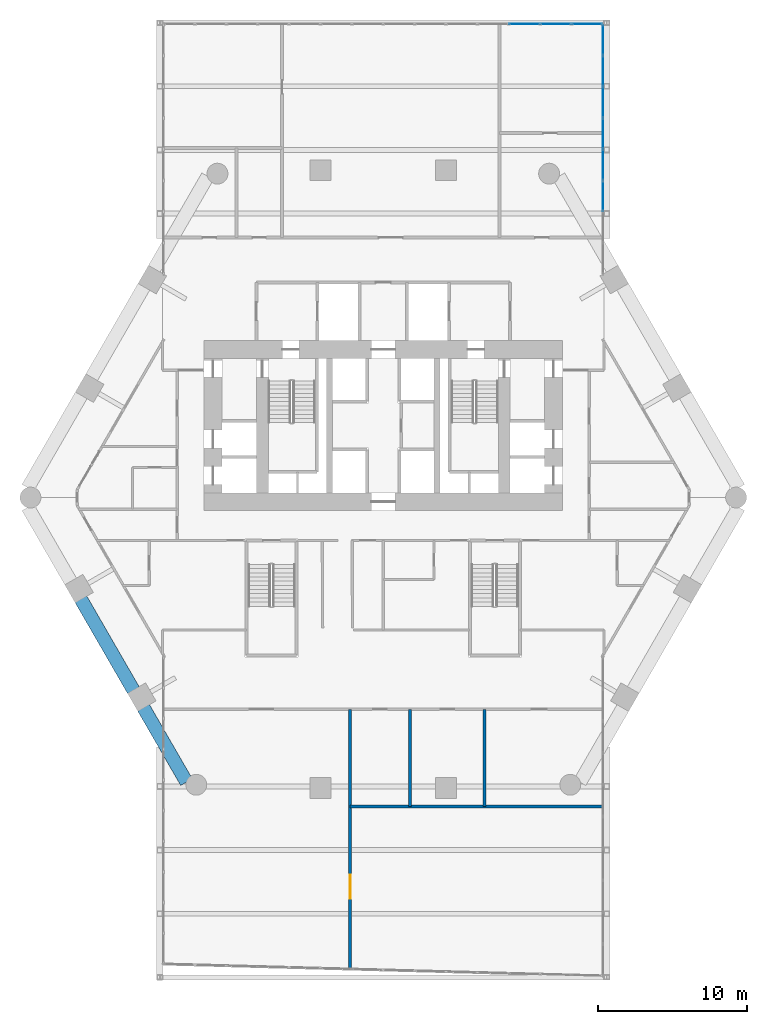
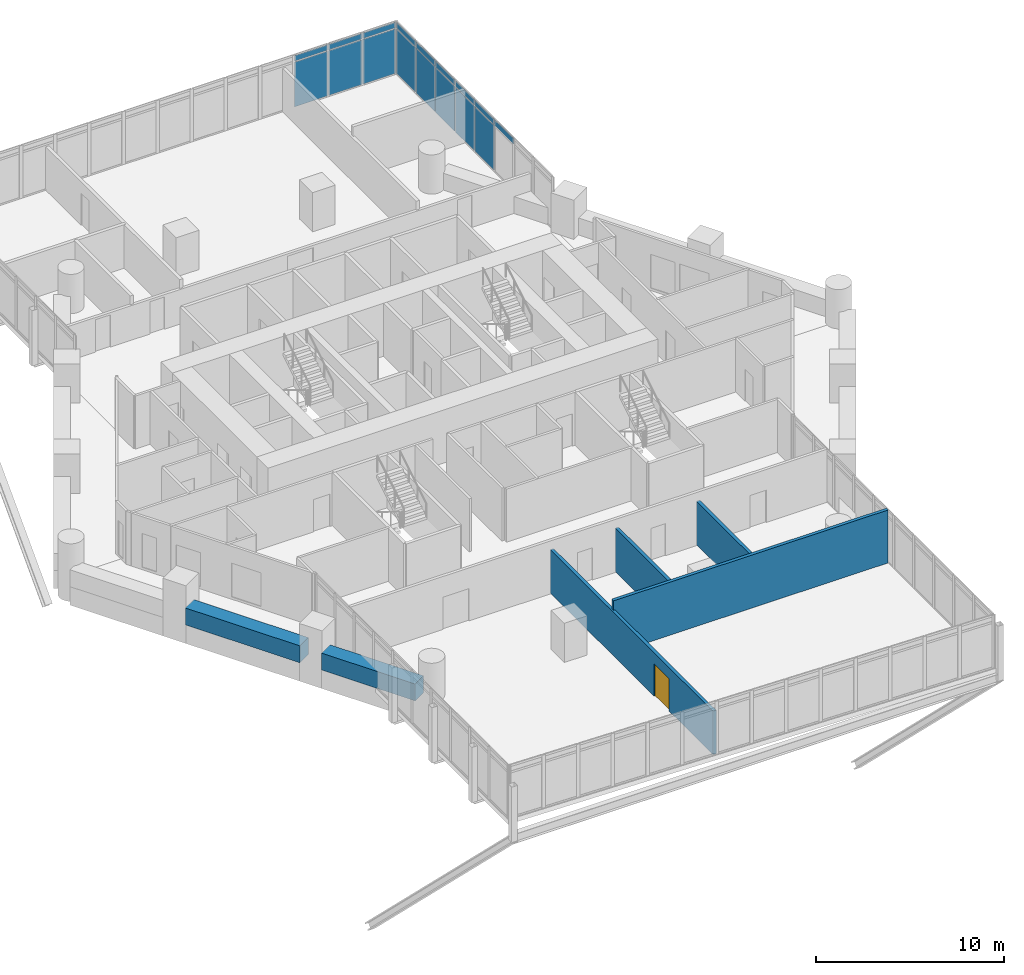
# One storey, part 29 of 38: 17 plates, 6 walls, 1 door, 1 opening, 2 elements without a shape of their own.
"""IFC4 building model written with IfcOpenShell, lengths in metres."""

from ifc_helpers import new_model, si_unit, direction, frame, frame_2d, origin, origin_2d, place, context, subcontext, project, spatial, rectangle, extrude, material, layer, layer_set, type_object, element, fill, aggregate, save


model = new_model("IFC4")

# Units and contexts
model_context = context("Model", 3, precision=1e-05, world=origin(), true_north=direction((0.0, 1.0)))
body_context = subcontext(model_context, "Body", "Model", "MODEL_VIEW")
ifc_project = project(units=[si_unit("LENGTHUNIT", "METRE"), si_unit("AREAUNIT", "SQUARE_METRE"), si_unit("VOLUMEUNIT", "CUBIC_METRE"), si_unit("PLANEANGLEUNIT", "RADIAN"), si_unit("MASSUNIT", "GRAM", prefix="KILO")], contexts=[model_context])

# Site, building, storey
site_placement = place(None, origin())
site = spatial("IfcSite", under=ifc_project, at=site_placement, CompositionType="ELEMENT")
building_placement = place(site_placement, origin())
building = spatial("IfcBuilding", under=site, at=building_placement, Name="Ostrander Bayou Hotel Tower", CompositionType="ELEMENT")
storey_placement = place(building_placement, frame((0.0, 0.0, 65.5)))
storey = spatial("IfcBuildingStorey", under=building, at=storey_placement, Name="L16", CompositionType="ELEMENT", Elevation=65.5)

# Curtain wall, plates
ifc_material_1 = material(Name="Aluminium and clear glass", Category="aluminium")
curtain_wall_type = type_object("IfcCurtainWallType", Name="CW-BAR glazed wall", PredefinedType="NOTDEFINED", material=ifc_material_1)
curtain_wall_1_placement = place(storey_placement, origin())
curtain_wall_1 = element("IfcCurtainWall", 1, at=curtain_wall_1_placement, inside=storey, type_object=curtain_wall_type, Name="CW-BAR L16:SB1N:T", PredefinedType="NOTDEFINED")
ifc_material_2 = material(Name="Clear laminated glass", Category="glass")
ifc_layer_1 = layer(ifc_material_2, 0.028076171875)
ifc_layer_set_1 = layer_set([ifc_layer_1], Name="CW-BR glazing panel 28 mm")
plate_type = type_object("IfcPlateType", Name="CW-BR glazing panel 28 mm", PredefinedType="CURTAIN_PANEL", material=ifc_layer_set_1)
plate_1_placement = place(storey_placement, frame((9.457763671875, 30.88623046875, 0.06005859375), z_axis=(0.0, 0.0, 1.0), x_axis=(1.0, 0.0, 0.0)))
plate_1 = element("IfcPlate", 2, at=plate_1_placement, type_object=plate_type, Name="CW-BAR panel 12.1", PredefinedType="CURTAIN_PANEL", context=body_context, shape_type="SweptSolid", body=[
    extrude(rectangle(XDim=2.041748046875, YDim=0.028076171875, at=origin_2d()), origin(), (0.0, 0.0, 1.0), 2.909912109375),
])
plate_2_placement = place(storey_placement, frame((9.457763671875, 30.88623046875, 3.02978515625), z_axis=(0.0, 0.0, 1.0), x_axis=(1.0, 0.0, 0.0)))
plate_2 = element("IfcPlate", 3, at=plate_2_placement, type_object=plate_type, Name="CW-BAR panel 12.2", PredefinedType="CURTAIN_PANEL", context=body_context, shape_type="SweptSolid", body=[
    extrude(rectangle(XDim=2.041748046875, YDim=0.028076171875, at=origin_2d()), origin(), (0.0, 0.0, 1.0), 0.360107421875),
])
plate_3_placement = place(storey_placement, frame((11.5595703125, 30.88623046875, 0.06005859375), z_axis=(0.0, 0.0, 1.0), x_axis=(1.0, 0.0, 0.0)))
plate_3 = element("IfcPlate", 4, at=plate_3_placement, type_object=plate_type, Name="CW-BAR panel 13.1", PredefinedType="CURTAIN_PANEL", context=body_context, shape_type="SweptSolid", body=[
    extrude(rectangle(XDim=2.041748046875, YDim=0.028076171875, at=origin_2d()), origin(), (0.0, 0.0, 1.0), 2.909912109375),
])
plate_4_placement = place(storey_placement, frame((11.5595703125, 30.88623046875, 3.02978515625), z_axis=(0.0, 0.0, 1.0), x_axis=(1.0, 0.0, 0.0)))
plate_4 = element("IfcPlate", 5, at=plate_4_placement, type_object=plate_type, Name="CW-BAR panel 13.2", PredefinedType="CURTAIN_PANEL", context=body_context, shape_type="SweptSolid", body=[
    extrude(rectangle(XDim=2.041748046875, YDim=0.028076171875, at=origin_2d()), origin(), (0.0, 0.0, 1.0), 0.360107421875),
])
plate_5_placement = place(storey_placement, frame((13.646240234375, 30.88623046875, 0.06005859375), z_axis=(0.0, 0.0, 1.0), x_axis=(1.0, 0.0, 0.0)))
plate_5 = element("IfcPlate", 6, at=plate_5_placement, type_object=plate_type, Name="CW-BAR panel 14.1", PredefinedType="CURTAIN_PANEL", context=body_context, shape_type="SweptSolid", body=[
    extrude(rectangle(XDim=2.01171875, YDim=0.028076171875, at=origin_2d()), origin(), (0.0, 0.0, 1.0), 2.909912109375),
])
plate_6_placement = place(storey_placement, frame((13.646240234375, 30.88623046875, 3.02978515625), z_axis=(0.0, 0.0, 1.0), x_axis=(1.0, 0.0, 0.0)))
plate_6 = element("IfcPlate", 7, at=plate_6_placement, type_object=plate_type, Name="CW-BAR panel 14.2", PredefinedType="CURTAIN_PANEL", context=body_context, shape_type="SweptSolid", body=[
    extrude(rectangle(XDim=2.01171875, YDim=0.028076171875, at=origin_2d()), origin(), (0.0, 0.0, 1.0), 0.360107421875),
])
aggregate(curtain_wall_1, [plate_1, plate_2, plate_3, plate_4, plate_5, plate_6])

curtain_wall_2_placement = place(storey_placement, origin())
curtain_wall_2 = element("IfcCurtainWall", 8, at=curtain_wall_2_placement, inside=storey, type_object=curtain_wall_type, Name="CW-BAR L16:SB1N:W", PredefinedType="NOTDEFINED")
plate_7_placement = place(storey_placement, frame((14.712158203125, 19.3779296875, 3.02978515625), z_axis=(0.0, 0.0, 1.0), x_axis=(0.0, 1.0, 0.0)))
plate_7 = element("IfcPlate", 9, at=plate_7_placement, type_object=plate_type, Name="CW-BAR panel 3.2", PredefinedType="CURTAIN_PANEL", context=body_context, shape_type="SweptSolid", body=[
    extrude(rectangle(XDim=2.032470703125, YDim=0.028076171875, at=origin_2d()), origin(), (0.0, 0.0, 1.0), 0.360107421875),
])
plate_8_placement = place(storey_placement, frame((14.712158203125, 21.47021484375, 0.06005859375), z_axis=(0.0, 0.0, 1.0), x_axis=(0.0, 1.0, 0.0)))
plate_8 = element("IfcPlate", 10, at=plate_8_placement, type_object=plate_type, Name="CW-BAR panel 4.1", PredefinedType="CURTAIN_PANEL", context=body_context, shape_type="SweptSolid", body=[
    extrude(rectangle(XDim=2.032470703125, YDim=0.028076171875, at=origin_2d()), origin(), (0.0, 0.0, 1.0), 2.909912109375),
])
plate_9_placement = place(storey_placement, frame((14.712158203125, 21.47021484375, 3.02978515625), z_axis=(0.0, 0.0, 1.0), x_axis=(0.0, 1.0, 0.0)))
plate_9 = element("IfcPlate", 11, at=plate_9_placement, type_object=plate_type, Name="CW-BAR panel 4.2", PredefinedType="CURTAIN_PANEL", context=body_context, shape_type="SweptSolid", body=[
    extrude(rectangle(XDim=2.032470703125, YDim=0.028076171875, at=origin_2d()), origin(), (0.0, 0.0, 1.0), 0.360107421875),
])
plate_10_placement = place(storey_placement, frame((14.712158203125, 23.562744140625, 0.06005859375), z_axis=(0.0, 0.0, 1.0), x_axis=(0.0, 1.0, 0.0)))
plate_10 = element("IfcPlate", 12, at=plate_10_placement, type_object=plate_type, Name="CW-BAR panel 5.1", PredefinedType="CURTAIN_PANEL", context=body_context, shape_type="SweptSolid", body=[
    extrude(rectangle(XDim=2.032470703125, YDim=0.028076171875, at=origin_2d()), origin(), (0.0, 0.0, 1.0), 2.909912109375),
])
plate_11_placement = place(storey_placement, frame((14.712158203125, 23.562744140625, 3.02978515625), z_axis=(0.0, 0.0, 1.0), x_axis=(0.0, 1.0, 0.0)))
plate_11 = element("IfcPlate", 13, at=plate_11_placement, type_object=plate_type, Name="CW-BAR panel 5.2", PredefinedType="CURTAIN_PANEL", context=body_context, shape_type="SweptSolid", body=[
    extrude(rectangle(XDim=2.032470703125, YDim=0.028076171875, at=origin_2d()), origin(), (0.0, 0.0, 1.0), 0.360107421875),
])
plate_12_placement = place(storey_placement, frame((14.712158203125, 25.655029296875, 0.06005859375), z_axis=(0.0, 0.0, 1.0), x_axis=(0.0, 1.0, 0.0)))
plate_12 = element("IfcPlate", 14, at=plate_12_placement, type_object=plate_type, Name="CW-BAR panel 6.1", PredefinedType="CURTAIN_PANEL", context=body_context, shape_type="SweptSolid", body=[
    extrude(rectangle(XDim=2.032470703125, YDim=0.028076171875, at=origin_2d()), origin(), (0.0, 0.0, 1.0), 2.909912109375),
])
plate_13_placement = place(storey_placement, frame((14.712158203125, 25.655029296875, 3.02978515625), z_axis=(0.0, 0.0, 1.0), x_axis=(0.0, 1.0, 0.0)))
plate_13 = element("IfcPlate", 15, at=plate_13_placement, type_object=plate_type, Name="CW-BAR panel 6.2", PredefinedType="CURTAIN_PANEL", context=body_context, shape_type="SweptSolid", body=[
    extrude(rectangle(XDim=2.032470703125, YDim=0.028076171875, at=origin_2d()), origin(), (0.0, 0.0, 1.0), 0.360107421875),
])
plate_14_placement = place(storey_placement, frame((14.712158203125, 27.74755859375, 0.06005859375), z_axis=(0.0, 0.0, 1.0), x_axis=(0.0, 1.0, 0.0)))
plate_14 = element("IfcPlate", 16, at=plate_14_placement, type_object=plate_type, Name="CW-BAR panel 7.1", PredefinedType="CURTAIN_PANEL", context=body_context, shape_type="SweptSolid", body=[
    extrude(rectangle(XDim=2.032470703125, YDim=0.028076171875, at=origin_2d()), origin(), (0.0, 0.0, 1.0), 2.909912109375),
])
plate_15_placement = place(storey_placement, frame((14.712158203125, 27.74755859375, 3.02978515625), z_axis=(0.0, 0.0, 1.0), x_axis=(0.0, 1.0, 0.0)))
plate_15 = element("IfcPlate", 17, at=plate_15_placement, type_object=plate_type, Name="CW-BAR panel 7.2", PredefinedType="CURTAIN_PANEL", context=body_context, shape_type="SweptSolid", body=[
    extrude(rectangle(XDim=2.032470703125, YDim=0.028076171875, at=origin_2d()), origin(), (0.0, 0.0, 1.0), 0.360107421875),
])
plate_16_placement = place(storey_placement, frame((14.712158203125, 29.824951171875, 0.06005859375), z_axis=(0.0, 0.0, 1.0), x_axis=(0.0, 1.0, 0.0)))
plate_16 = element("IfcPlate", 18, at=plate_16_placement, type_object=plate_type, Name="CW-BAR panel 8.1", PredefinedType="CURTAIN_PANEL", context=body_context, shape_type="SweptSolid", body=[
    extrude(rectangle(XDim=2.00244140625, YDim=0.028076171875, at=origin_2d()), origin(), (0.0, 0.0, 1.0), 2.909912109375),
])
plate_17_placement = place(storey_placement, frame((14.712158203125, 29.824951171875, 3.02978515625), z_axis=(0.0, 0.0, 1.0), x_axis=(0.0, 1.0, 0.0)))
plate_17 = element("IfcPlate", 19, at=plate_17_placement, type_object=plate_type, Name="CW-BAR panel 8.2", PredefinedType="CURTAIN_PANEL", context=body_context, shape_type="SweptSolid", body=[
    extrude(rectangle(XDim=2.00244140625, YDim=0.028076171875, at=origin_2d()), origin(), (0.0, 0.0, 1.0), 0.360107421875),
])
aggregate(curtain_wall_2, [plate_7, plate_8, plate_9, plate_10, plate_11, plate_12, plate_13, plate_14, plate_15, plate_16, plate_17])

# Walls
ifc_material_3 = material(Name="Limestone masonry", Category="masonry")
ifc_layer_2 = layer(ifc_material_3, 0.89990234375)
ifc_layer_set_2 = layer_set([ifc_layer_2], Name="PA2 limestone parapet 900 mm")
wall_type_1 = type_object("IfcWallType", Name="PA2 limestone parapet 900 mm", PredefinedType="PARAPET", material=ifc_layer_set_2)
wall_1_placement = place(storey_placement, frame((-20.252197265625, -7.621826171875, 0.0), z_axis=(0.0, 0.0, 1.0), x_axis=(0.499997206141, -0.866027016814, 0.0)))
element("IfcWall", 20, at=wall_1_placement, inside=storey, type_object=wall_type_1, Name="PA2 L16 SW-2", PredefinedType="PARAPET", context=body_context, shape_type="SweptSolid", body=[
    extrude(rectangle(XDim=7.05078125, YDim=0.89990234375, at=frame_2d((3.525390625, 0.0))), origin(), (0.0, 0.0, 1.0), 1.10009765625),
])
wall_2_placement = place(storey_placement, frame((-16.056884765625, -14.888671875, 0.0), z_axis=(0.0, 0.0, 1.0), x_axis=(0.500014818852, -0.866016847947, 0.0)))
element("IfcWall", 21, at=wall_2_placement, inside=storey, type_object=wall_type_1, Name="PA2 L16 SW-3", PredefinedType="PARAPET", context=body_context, shape_type="SweptSolid", body=[
    extrude(rectangle(XDim=5.758544921875, YDim=0.89990234375, at=frame_2d((2.87939453125, 0.0))), origin(), (0.0, 0.0, 1.0), 1.10009765625),
])
ifc_material_4 = material(Name="Gypsum board partition", Category="finish")
ifc_layer_3 = layer(ifc_material_4, 0.199951171875)
ifc_layer_set_3 = layer_set([ifc_layer_3], Name="PT3 demising wall 200 mm acoustic double stud, 1 hour")
wall_type_2 = type_object("IfcWallType", Name="PT3 demising wall 200 mm acoustic double stud, 1 hour", PredefinedType="PARTITIONING", material=ifc_layer_set_3)
wall_3_placement = place(storey_placement, frame((-2.212890625, -21.5, 0.0), z_axis=(0.0, 0.0, 1.0), x_axis=(1.0, 0.0, 0.0)))
element("IfcWall", 22, at=wall_3_placement, inside=storey, type_object=wall_type_2, Name="sw:L16:502", PredefinedType="PARTITIONING", context=body_context, shape_type="SweptSolid", body=[
    extrude(rectangle(XDim=16.906005859375, YDim=0.199951171875, at=frame_2d((8.453125, 0.0))), origin(), (0.0, 0.0, 1.0), 3.449951171875),
])

# Wall, opening, door
wall_4_placement = place(storey_placement, frame((-2.212890625, -32.37109375, 0.0), z_axis=(0.0, 0.0, 1.0), x_axis=(0.0, 1.0, 0.0)))
wall_4 = element("IfcWall", 23, at=wall_4_placement, inside=storey, type_object=wall_type_2, Name="sw:L16:507", PredefinedType="PARTITIONING", context=body_context, shape_type="SweptSolid", body=[
    extrude(rectangle(XDim=17.37109375, YDim=0.199951171875, at=frame_2d((8.685546875, 0.0))), origin(), (0.0, 0.0, 1.0), 2.828125),
])
opening_placement = place(wall_4_placement, frame((4.69091796875, 0.0, 0.0)))
opening = element("IfcOpeningElement", 24, at=opening_placement, cuts=wall_4, Name="Opening T16-1204", PredefinedType="OPENING", context=body_context, shape_type="SweptSolid", body=[
    extrude(rectangle(XDim=1.60009765625, YDim=2.10009765625, at=frame_2d((0.800048828125, 1.050048828125))), frame((0.0, 0.10009765625, 0.0), z_axis=(0.0, -1.0, 0.0), x_axis=(1.0, 0.0, 0.0)), (0.0, 0.0, 1.0), 0.199951171875),
])
ifc_material_5 = material(Name="Timber door leaf", Category="wood")
door_type = type_object("IfcDoorType", Name="D13 double door 1600 x 2100 mm, 1 hour", OperationType="SINGLE_SWING_LEFT", PredefinedType="DOOR", material=ifc_material_5)
door_placement = place(opening_placement, origin())
door = element("IfcDoor", 25, at=door_placement, inside=storey, type_object=door_type, Name="dr:L16:1204", OperationType="DOUBLE_DOOR_SINGLE_SWING", OverallHeight=2.10009765625, OverallWidth=1.60009765625, PredefinedType="DOOR", context=body_context, shape_type="SweptSolid", body=[
    extrude(rectangle(XDim=1.60009765625, YDim=2.10009765625, at=frame_2d((0.800048828125, 1.050048828125))), frame((0.0, 0.02490234375, 0.0), z_axis=(0.0, -1.0, 0.0), x_axis=(1.0, 0.0, 0.0)), (0.0, 0.0, 1.0), 0.050048828125),
])
fill(opening, door)

# Walls
for number, where, z_axis, x_axis, name in (
    (26, (1.787109375, -21.5, 0.0), (0.0, 0.0, 1.0), (0.0, 1.0, 0.0), "sw:L16:508"),
    (27, (6.787109375, -21.5, 0.0), (0.0, 0.0, 1.0), (0.0, 1.0, 0.0), "sw:L16:509"),
):
    element("IfcWall", number, at=place(storey_placement, frame(where, z_axis=z_axis, x_axis=x_axis)), inside=storey, type_object=wall_type_2, Name=name, PredefinedType="PARTITIONING", context=body_context, shape_type="SweptSolid", body=[
        extrude(rectangle(XDim=6.5, YDim=0.199951171875, at=frame_2d((3.25, 0.0))), origin(), (0.0, 0.0, 1.0), 2.828125),
    ])

save(model, "model.ifc")
